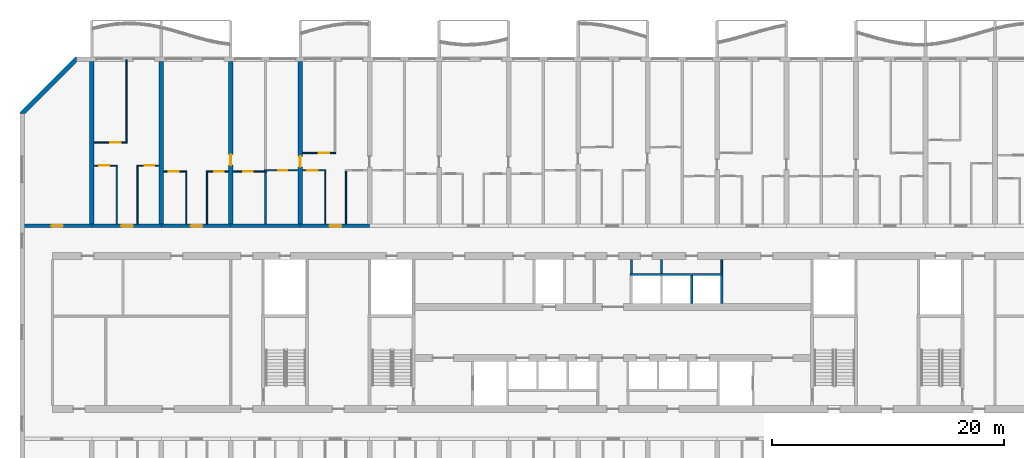
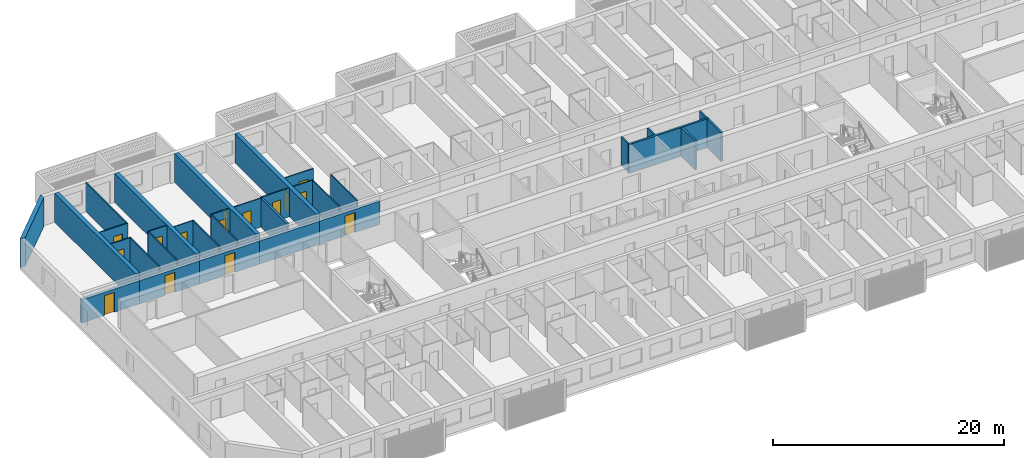
# One storey, part 10 of 40: 33 walls, 15 doors, 15 openings.
"""IFC4 building model written with IfcOpenShell, lengths in metres."""

from ifc_helpers import new_model, si_unit, direction, frame, frame_2d, origin, place, context, subcontext, project, spatial, polyline, rectangle, outline, extrude, material, layer, layer_set, type_object, element, fill, save


model = new_model("IFC4")

# Units and contexts
model_context = context("Model", 3, precision=1e-05, world=origin(), true_north=direction((0.0, 1.0)))
body_context = subcontext(model_context, "Body", "Model", "MODEL_VIEW")
ifc_project = project(units=[si_unit("LENGTHUNIT", "METRE"), si_unit("AREAUNIT", "SQUARE_METRE"), si_unit("VOLUMEUNIT", "CUBIC_METRE"), si_unit("PLANEANGLEUNIT", "RADIAN"), si_unit("MASSUNIT", "GRAM", prefix="KILO")], contexts=[model_context])

# Site, building, storey
site_placement = place(None, origin())
site = spatial("IfcSite", under=ifc_project, at=site_placement, CompositionType="ELEMENT")
building_placement = place(site_placement, origin())
building = spatial("IfcBuilding", under=site, at=building_placement, Name="Poui Terraces", CompositionType="ELEMENT")
storey_placement = place(building_placement, frame((0.0, 0.0, 36.60009765625)))
storey = spatial("IfcBuildingStorey", under=building, at=storey_placement, Name="L09", CompositionType="ELEMENT", Elevation=36.60009765625)

# Wall
ifc_material_1 = material(Name="Fire-rated plasterboard wall")
ifc_layer_1 = layer(ifc_material_1, 0.14990234375)
ifc_layer_set_1 = layer_set([ifc_layer_1], Name="Fire-rated plasterboard wall")
wall_type_1 = type_object("IfcWallType", Name="CORRIDOR WALL 150", PredefinedType="PARTITIONING", material=ifc_layer_set_1)
wall_1_placement = place(storey_placement, frame((52.60009765625, 26.300048828125, 0.0), z_axis=(0.0, 0.0, 1.0), x_axis=(0.0, 1.0, 0.0)))
element("IfcWall", 1, at=wall_1_placement, inside=storey, type_object=wall_type_1, Name="CORRIDOR WALL 150", PredefinedType="PARTITIONING", context=body_context, shape_type="SweptSolid", body=[
    extrude(rectangle(XDim=1.18994140625, YDim=0.14990234375, at=frame_2d((0.594970703125, 0.0))), origin(), (0.0, 0.0, 1.0), 3.0498046875),
])

# Wall, opening, door
ifc_material_2 = material(Name="Concrete 80 MPa", Category="concrete")
ifc_layer_2 = layer(ifc_material_2, 0.300048828125)
ifc_layer_set_2 = layer_set([ifc_layer_2], Name="Concrete 80 MPa")
wall_type_2 = type_object("IfcWallType", Name="CORRIDOR WALL 300 80MPa", PredefinedType="SHEAR", material=ifc_layer_set_2)
wall_2_placement = place(storey_placement, frame((0.199951171875, 30.39990234375, 0.0), z_axis=(0.0, 0.0, 1.0), x_axis=(1.0, 0.0, 0.0)))
wall_2 = element("IfcWall", 2, at=wall_2_placement, inside=storey, type_object=wall_type_2, Name="CORRIDOR WALL LINE E BAY 1", PredefinedType="SHEAR", context=body_context, shape_type="SweptSolid", body=[
    extrude(rectangle(XDim=5.800048828125, YDim=0.300048828125, at=frame_2d((2.89990234375, 0.0))), origin(), (0.0, 0.0, 1.0), 2.449951171875),
])
opening_1_placement = place(wall_2_placement, frame((2.300048828125, 0.0, 0.0)))
opening_1 = element("IfcOpeningElement", 3, at=opening_1_placement, cuts=wall_2, Name="Opening D100", PredefinedType="OPENING", context=body_context, shape_type="SweptSolid", body=[
    extrude(rectangle(XDim=1.0, YDim=2.10009765625, at=frame_2d((0.5, 1.050048828125))), frame((0.0, 0.16015625, 0.0), z_axis=(0.0, -1.0, 0.0), x_axis=(1.0, 0.0, 0.0)), (0.0, 0.0, 1.0), 0.320068359375),
])
ifc_material_3 = material(Name="Solid core timber door", Category="wood")
door_type_1 = type_object("IfcDoorType", Name="ACCESSIBLE INTERNAL DOOR 1000 X 2100", OperationType="NOTDEFINED", PredefinedType="DOOR", material=ifc_material_3)
door_1_placement = place(opening_1_placement, origin())
door_1 = element("IfcDoor", 4, at=door_1_placement, inside=storey, type_object=door_type_1, Name="ACCESSIBLE INTERNAL DOOR 030", OperationType="SINGLE_SWING_LEFT", OverallHeight=2.10009765625, OverallWidth=1.0, PredefinedType="DOOR", context=body_context, shape_type="SweptSolid", body=[
    extrude(rectangle(XDim=1.0, YDim=2.10009765625, at=frame_2d((0.5, 1.050048828125))), frame((0.0, 0.02490234375, 0.0), z_axis=(0.0, -1.0, 0.0), x_axis=(1.0, 0.0, 0.0)), (0.0, 0.0, 1.0), 0.050048828125),
])
fill(opening_1, door_1)

wall_3_placement = place(storey_placement, frame((6.0, 30.39990234375, 0.0), z_axis=(0.0, 0.0, 1.0), x_axis=(1.0, 0.0, 0.0)))
wall_3 = element("IfcWall", 5, at=wall_3_placement, inside=storey, type_object=wall_type_2, Name="CORRIDOR WALL LINE E BAY 2", PredefinedType="SHEAR", context=body_context, shape_type="SweptSolid", body=[
    extrude(rectangle(XDim=6.0, YDim=0.300048828125, at=frame_2d((3.0, 0.0))), origin(), (0.0, 0.0, 1.0), 2.449951171875),
])
opening_2_placement = place(wall_3_placement, frame((2.550048828125, 0.0, 0.0)))
opening_2 = element("IfcOpeningElement", 6, at=opening_2_placement, cuts=wall_3, Name="Opening FD30S", PredefinedType="OPENING", context=body_context, shape_type="SweptSolid", body=[
    extrude(rectangle(XDim=1.0, YDim=2.10009765625, at=frame_2d((0.5, 1.050048828125))), frame((0.0, 0.16015625, 0.0), z_axis=(0.0, -1.0, 0.0), x_axis=(1.0, 0.0, 0.0)), (0.0, 0.0, 1.0), 0.320068359375),
])
ifc_material_4 = material(Name="Steel fire door", Category="steel")
door_type_2 = type_object("IfcDoorType", Name="FLAT ENTRANCE DOOR 1000 X 2100", OperationType="NOTDEFINED", PredefinedType="DOOR", material=ifc_material_4)
door_2_placement = place(opening_2_placement, origin())
door_2 = element("IfcDoor", 7, at=door_2_placement, inside=storey, type_object=door_type_2, Name="FLAT ENTRANCE DOOR 033", OperationType="SINGLE_SWING_RIGHT", OverallHeight=2.10009765625, OverallWidth=1.0, PredefinedType="DOOR", context=body_context, shape_type="SweptSolid", body=[
    extrude(rectangle(XDim=1.0, YDim=2.10009765625, at=frame_2d((0.5, 1.050048828125))), frame((0.0, 0.02490234375, 0.0), z_axis=(0.0, -1.0, 0.0), x_axis=(1.0, 0.0, 0.0)), (0.0, 0.0, 1.0), 0.050048828125),
])
fill(opening_2, door_2)

wall_4_placement = place(storey_placement, frame((12.0, 30.39990234375, 0.0), z_axis=(0.0, 0.0, 1.0), x_axis=(1.0, 0.0, 0.0)))
wall_4 = element("IfcWall", 8, at=wall_4_placement, inside=storey, type_object=wall_type_2, Name="CORRIDOR WALL LINE E BAY 3", PredefinedType="SHEAR", context=body_context, shape_type="SweptSolid", body=[
    extrude(rectangle(XDim=6.0, YDim=0.300048828125, at=frame_2d((3.0, 0.0))), origin(), (0.0, 0.0, 1.0), 2.449951171875),
])
opening_3_placement = place(wall_4_placement, frame((2.550048828125, 0.0, 0.0)))
opening_3 = element("IfcOpeningElement", 9, at=opening_3_placement, cuts=wall_4, Name="Opening FD30S", PredefinedType="OPENING", context=body_context, shape_type="SweptSolid", body=[
    extrude(rectangle(XDim=1.0, YDim=2.10009765625, at=frame_2d((0.5, 1.050048828125))), frame((0.0, 0.16015625, 0.0), z_axis=(0.0, -1.0, 0.0), x_axis=(1.0, 0.0, 0.0)), (0.0, 0.0, 1.0), 0.320068359375),
])
door_3_placement = place(opening_3_placement, origin())
door_3 = element("IfcDoor", 10, at=door_3_placement, inside=storey, type_object=door_type_2, Name="FLAT ENTRANCE DOOR 037", OperationType="SINGLE_SWING_RIGHT", OverallHeight=2.10009765625, OverallWidth=1.0, PredefinedType="DOOR", context=body_context, shape_type="SweptSolid", body=[
    extrude(rectangle(XDim=1.0, YDim=2.10009765625, at=frame_2d((0.5, 1.050048828125))), frame((0.0, 0.02490234375, 0.0), z_axis=(0.0, -1.0, 0.0), x_axis=(1.0, 0.0, 0.0)), (0.0, 0.0, 1.0), 0.050048828125),
])
fill(opening_3, door_3)

# Wall
wall_5_placement = place(storey_placement, frame((18.0, 30.39990234375, 0.0), z_axis=(0.0, 0.0, 1.0), x_axis=(1.0, 0.0, 0.0)))
element("IfcWall", 11, at=wall_5_placement, inside=storey, type_object=wall_type_2, Name="CORRIDOR WALL LINE E BAY 4", PredefinedType="SHEAR", context=body_context, shape_type="SweptSolid", body=[
    extrude(rectangle(XDim=6.0, YDim=0.300048828125, at=frame_2d((3.0, 0.0))), origin(), (0.0, 0.0, 1.0), 2.449951171875),
])

# Wall, opening, door
wall_6_placement = place(storey_placement, frame((24.0, 30.39990234375, 0.0), z_axis=(0.0, 0.0, 1.0), x_axis=(1.0, 0.0, 0.0)))
wall_6 = element("IfcWall", 12, at=wall_6_placement, inside=storey, type_object=wall_type_2, Name="CORRIDOR WALL LINE E BAY 5", PredefinedType="SHEAR", context=body_context, shape_type="SweptSolid", body=[
    extrude(rectangle(XDim=6.0, YDim=0.300048828125, at=frame_2d((3.0, 0.0))), origin(), (0.0, 0.0, 1.0), 2.449951171875),
])
opening_4_placement = place(wall_6_placement, frame((2.550048828125, 0.0, 0.0)))
opening_4 = element("IfcOpeningElement", 13, at=opening_4_placement, cuts=wall_6, Name="Opening FD30S", PredefinedType="OPENING", context=body_context, shape_type="SweptSolid", body=[
    extrude(rectangle(XDim=1.0, YDim=2.10009765625, at=frame_2d((0.5, 1.050048828125))), frame((0.0, 0.16015625, 0.0), z_axis=(0.0, -1.0, 0.0), x_axis=(1.0, 0.0, 0.0)), (0.0, 0.0, 1.0), 0.320068359375),
])
door_4_placement = place(opening_4_placement, origin())
door_4 = element("IfcDoor", 14, at=door_4_placement, inside=storey, type_object=door_type_2, Name="FLAT ENTRANCE DOOR 045", OperationType="SINGLE_SWING_RIGHT", OverallHeight=2.10009765625, OverallWidth=1.0, PredefinedType="DOOR", context=body_context, shape_type="SweptSolid", body=[
    extrude(rectangle(XDim=1.0, YDim=2.10009765625, at=frame_2d((0.5, 1.050048828125))), frame((0.0, 0.02490234375, 0.0), z_axis=(0.0, -1.0, 0.0), x_axis=(1.0, 0.0, 0.0)), (0.0, 0.0, 1.0), 0.050048828125),
])
fill(opening_4, door_4)

# Walls
ifc_layer_3 = layer(ifc_material_2, 0.39990234375)
ifc_layer_set_3 = layer_set([ifc_layer_3], Name="Concrete 80 MPa")
wall_type_3 = type_object("IfcWallType", Name="CROSS WALL 400 80MPa", PredefinedType="SHEAR", material=ifc_layer_set_3)
for number, where, z_axis, x_axis, name in (
    (15, (6.0, 30.550048828125, 0.0), (0.0, 0.0, 1.0), (0.0, 1.0, 0.0), "CROSS WALL LINE 2 NORTH"),
    (16, (12.0, 30.550048828125, 0.0), (0.0, 0.0, 1.0), (0.0, 1.0, 0.0), "CROSS WALL LINE 3 NORTH"),
):
    element("IfcWall", number, at=place(storey_placement, frame(where, z_axis=z_axis, x_axis=x_axis)), inside=storey, type_object=wall_type_3, Name=name, PredefinedType="SHEAR", context=body_context, shape_type="SweptSolid", body=[
        extrude(rectangle(XDim=14.050048828125, YDim=0.39990234375, at=frame_2d((7.02490234375, 0.0))), origin(), (0.0, 0.0, 1.0), 3.0498046875),
    ])

# Wall, opening, door
wall_7_placement = place(storey_placement, frame((18.0, 30.550048828125, 0.0), z_axis=(0.0, 0.0, 1.0), x_axis=(0.0, 1.0, 0.0)))
wall_7 = element("IfcWall", 17, at=wall_7_placement, inside=storey, type_object=wall_type_3, Name="CROSS WALL LINE 4 NORTH", PredefinedType="SHEAR", context=body_context, shape_type="SweptSolid", body=[
    extrude(rectangle(XDim=14.050048828125, YDim=0.39990234375, at=frame_2d((7.02490234375, 0.0))), origin(), (0.0, 0.0, 1.0), 3.0498046875),
])
opening_5_placement = place(wall_7_placement, frame((5.10009765625, 0.0, 0.0)))
opening_5 = element("IfcOpeningElement", 18, at=opening_5_placement, cuts=wall_7, Name="Opening D90", PredefinedType="OPENING", context=body_context, shape_type="SweptSolid", body=[
    extrude(rectangle(XDim=0.89990234375, YDim=2.10009765625, at=frame_2d((0.449951171875, 1.050048828125))), frame((0.0, 0.2099609375, 0.0), z_axis=(0.0, -1.0, 0.0), x_axis=(1.0, 0.0, 0.0)), (0.0, 0.0, 1.0), 0.419921875),
])
door_type_3 = type_object("IfcDoorType", Name="INTERNAL DOOR 900 X 2100", OperationType="NOTDEFINED", PredefinedType="DOOR", material=ifc_material_3)
door_5_placement = place(opening_5_placement, frame((0.89990234375, 0.0, 0.0), z_axis=(0.0, 0.0, 1.0), x_axis=(-1.0, 0.0, 0.0)))
door_5 = element("IfcDoor", 19, at=door_5_placement, inside=storey, type_object=door_type_3, Name="INTERNAL DOOR 039", OperationType="SINGLE_SWING_RIGHT", OverallHeight=2.10009765625, OverallWidth=0.89990234375, PredefinedType="DOOR", context=body_context, shape_type="SweptSolid", body=[
    extrude(rectangle(XDim=0.89990234375, YDim=2.10009765625, at=frame_2d((0.449951171875, 1.050048828125))), frame((0.0, 0.02490234375, 0.0), z_axis=(0.0, -1.0, 0.0), x_axis=(1.0, 0.0, 0.0)), (0.0, 0.0, 1.0), 0.050048828125),
])
fill(opening_5, door_5)

wall_8_placement = place(storey_placement, frame((24.0, 30.550048828125, 0.0), z_axis=(0.0, 0.0, 1.0), x_axis=(0.0, 1.0, 0.0)))
wall_8 = element("IfcWall", 20, at=wall_8_placement, inside=storey, type_object=wall_type_3, Name="CROSS WALL LINE 5 NORTH", PredefinedType="SHEAR", context=body_context, shape_type="SweptSolid", body=[
    extrude(rectangle(XDim=14.050048828125, YDim=0.39990234375, at=frame_2d((7.02490234375, 0.0))), origin(), (0.0, 0.0, 1.0), 3.0498046875),
])
opening_6_placement = place(wall_8_placement, frame((4.949951171875, 0.0, 0.0)))
opening_6 = element("IfcOpeningElement", 21, at=opening_6_placement, cuts=wall_8, Name="Opening D90", PredefinedType="OPENING", context=body_context, shape_type="SweptSolid", body=[
    extrude(rectangle(XDim=0.89990234375, YDim=2.10009765625, at=frame_2d((0.449951171875, 1.050048828125))), frame((0.0, 0.2099609375, 0.0), z_axis=(0.0, -1.0, 0.0), x_axis=(1.0, 0.0, 0.0)), (0.0, 0.0, 1.0), 0.419921875),
])
door_6_placement = place(opening_6_placement, origin())
door_6 = element("IfcDoor", 22, at=door_6_placement, inside=storey, type_object=door_type_3, Name="INTERNAL DOOR 042", OperationType="SINGLE_SWING_LEFT", OverallHeight=2.10009765625, OverallWidth=0.89990234375, PredefinedType="DOOR", context=body_context, shape_type="SweptSolid", body=[
    extrude(rectangle(XDim=0.89990234375, YDim=2.10009765625, at=frame_2d((0.449951171875, 1.050048828125))), frame((0.0, 0.02490234375, 0.0), z_axis=(0.0, -1.0, 0.0), x_axis=(1.0, 0.0, 0.0)), (0.0, 0.0, 1.0), 0.050048828125),
])
fill(opening_6, door_6)

ifc_material_5 = material(Name="Plasterboard partition")
ifc_layer_4 = layer(ifc_material_5, 0.10009765625)
ifc_layer_set_4 = layer_set([ifc_layer_4], Name="Plasterboard partition")
wall_type_4 = type_object("IfcWallType", Name="FLAT PARTITION 100", PredefinedType="PARTITIONING", material=ifc_layer_set_4)
wall_9_placement = place(storey_placement, frame((12.2099609375, 35.10009765625, 0.0), z_axis=(0.0, 0.0, 1.0), x_axis=(1.0, 0.0, 0.0)))
wall_9 = element("IfcWall", 23, at=wall_9_placement, inside=storey, type_object=wall_type_4, Name="FLAT PARTITION 100", PredefinedType="PARTITIONING", context=body_context, shape_type="SweptSolid", body=[
    extrude(rectangle(XDim=1.989990234375, YDim=0.10009765625, at=frame_2d((0.9951171875, 0.0))), origin(), (0.0, 0.0, 1.0), 3.0498046875),
])
opening_7_placement = place(wall_9_placement, frame((0.4150390625, 0.0, 0.0)))
opening_7 = element("IfcOpeningElement", 24, at=opening_7_placement, cuts=wall_9, Name="Opening D90", PredefinedType="OPENING", context=body_context, shape_type="SweptSolid", body=[
    extrude(rectangle(XDim=0.89990234375, YDim=2.10009765625, at=frame_2d((0.449951171875, 1.050048828125))), frame((0.0, 0.06005859375, 0.0), z_axis=(0.0, -1.0, 0.0), x_axis=(1.0, 0.0, 0.0)), (0.0, 0.0, 1.0), 0.1201171875),
])
door_7_placement = place(opening_7_placement, frame((0.89990234375, 0.0, 0.0), z_axis=(0.0, 0.0, 1.0), x_axis=(-1.0, 0.0, 0.0)))
door_7 = element("IfcDoor", 25, at=door_7_placement, inside=storey, type_object=door_type_3, Name="INTERNAL DOOR 036", OperationType="SINGLE_SWING_LEFT", OverallHeight=2.10009765625, OverallWidth=0.89990234375, PredefinedType="DOOR", context=body_context, shape_type="SweptSolid", body=[
    extrude(rectangle(XDim=0.89990234375, YDim=2.10009765625, at=frame_2d((0.449951171875, 1.050048828125))), frame((0.0, 0.02490234375, 0.0), z_axis=(0.0, -1.0, 0.0), x_axis=(1.0, 0.0, 0.0)), (0.0, 0.0, 1.0), 0.050048828125),
])
fill(opening_7, door_7)

wall_10_placement = place(storey_placement, frame((15.89990234375, 35.10009765625, 0.0), z_axis=(0.0, 0.0, 1.0), x_axis=(1.0, 0.0, 0.0)))
wall_10 = element("IfcWall", 26, at=wall_10_placement, inside=storey, type_object=wall_type_4, Name="FLAT PARTITION 100", PredefinedType="PARTITIONING", context=body_context, shape_type="SweptSolid", body=[
    extrude(rectangle(XDim=1.89013671875, YDim=0.10009765625, at=frame_2d((0.945068359375, 0.0))), origin(), (0.0, 0.0, 1.0), 3.0498046875),
])
opening_8_placement = place(wall_10_placement, frame((0.675048828125, 0.0, 0.0)))
opening_8 = element("IfcOpeningElement", 27, at=opening_8_placement, cuts=wall_10, Name="Opening D80", PredefinedType="OPENING", context=body_context, shape_type="SweptSolid", body=[
    extrude(rectangle(XDim=0.800048828125, YDim=2.10009765625, at=frame_2d((0.39990234375, 1.050048828125))), frame((0.0, 0.06005859375, 0.0), z_axis=(0.0, -1.0, 0.0), x_axis=(1.0, 0.0, 0.0)), (0.0, 0.0, 1.0), 0.1201171875),
])
door_type_4 = type_object("IfcDoorType", Name="BATHROOM, LAUNDRY AND STORE DOOR 800 X 2100", OperationType="NOTDEFINED", PredefinedType="DOOR", material=ifc_material_3)
door_8_placement = place(opening_8_placement, frame((0.800048828125, 0.0, 0.0), z_axis=(0.0, 0.0, 1.0), x_axis=(-1.0, 0.0, 0.0)))
door_8 = element("IfcDoor", 28, at=door_8_placement, inside=storey, type_object=door_type_4, Name="BATHROOM, LAUNDRY AND STORE DOOR 038", OperationType="SINGLE_SWING_RIGHT", OverallHeight=2.10009765625, OverallWidth=0.800048828125, PredefinedType="DOOR", context=body_context, shape_type="SweptSolid", body=[
    extrude(rectangle(XDim=0.800048828125, YDim=2.10009765625, at=frame_2d((0.39990234375, 1.050048828125))), frame((0.0, 0.02490234375, 0.0), z_axis=(0.0, -1.0, 0.0), x_axis=(1.0, 0.0, 0.0)), (0.0, 0.0, 1.0), 0.050048828125),
])
fill(opening_8, door_8)

wall_11_placement = place(storey_placement, frame((18.2099609375, 35.10009765625, 0.0), z_axis=(0.0, 0.0, 1.0), x_axis=(1.0, 0.0, 0.0)))
wall_11 = element("IfcWall", 29, at=wall_11_placement, inside=storey, type_object=wall_type_4, Name="FLAT PARTITION 100", PredefinedType="PARTITIONING", context=body_context, shape_type="SweptSolid", body=[
    extrude(rectangle(XDim=2.89013671875, YDim=0.10009765625, at=frame_2d((1.445068359375, 0.0))), origin(), (0.0, 0.0, 1.0), 3.0498046875),
])
opening_9_placement = place(wall_11_placement, frame((0.889892578125, 0.0, 0.0)))
opening_9 = element("IfcOpeningElement", 30, at=opening_9_placement, cuts=wall_11, Name="Opening D80", PredefinedType="OPENING", context=body_context, shape_type="SweptSolid", body=[
    extrude(rectangle(XDim=0.800048828125, YDim=2.10009765625, at=frame_2d((0.39990234375, 1.050048828125))), frame((0.0, 0.06005859375, 0.0), z_axis=(0.0, -1.0, 0.0), x_axis=(1.0, 0.0, 0.0)), (0.0, 0.0, 1.0), 0.1201171875),
])
door_9_placement = place(opening_9_placement, frame((0.800048828125, 0.0, 0.0), z_axis=(0.0, 0.0, 1.0), x_axis=(-1.0, 0.0, 0.0)))
door_9 = element("IfcDoor", 31, at=door_9_placement, inside=storey, type_object=door_type_4, Name="BATHROOM, LAUNDRY AND STORE DOOR 035", OperationType="SINGLE_SWING_RIGHT", OverallHeight=2.10009765625, OverallWidth=0.800048828125, PredefinedType="DOOR", context=body_context, shape_type="SweptSolid", body=[
    extrude(rectangle(XDim=0.800048828125, YDim=2.10009765625, at=frame_2d((0.39990234375, 1.050048828125))), frame((0.0, 0.02490234375, 0.0), z_axis=(0.0, -1.0, 0.0), x_axis=(1.0, 0.0, 0.0)), (0.0, 0.0, 1.0), 0.050048828125),
])
fill(opening_9, door_9)

wall_12_placement = place(storey_placement, frame((20.89990234375, 35.199951171875, 0.0), z_axis=(0.0, 0.0, 1.0), x_axis=(1.0, 0.0, 0.0)))
wall_12 = element("IfcWall", 32, at=wall_12_placement, inside=storey, type_object=wall_type_4, Name="FLAT PARTITION 100", PredefinedType="PARTITIONING", context=body_context, shape_type="SweptSolid", body=[
    extrude(rectangle(XDim=2.89013671875, YDim=0.10009765625, at=frame_2d((1.445068359375, 0.0))), origin(), (0.0, 0.0, 1.0), 3.0498046875),
])
opening_10_placement = place(wall_12_placement, frame((1.199951171875, 0.0, 0.0)))
opening_10 = element("IfcOpeningElement", 33, at=opening_10_placement, cuts=wall_12, Name="Opening D80", PredefinedType="OPENING", context=body_context, shape_type="SweptSolid", body=[
    extrude(rectangle(XDim=0.800048828125, YDim=2.10009765625, at=frame_2d((0.39990234375, 1.050048828125))), frame((0.0, 0.06005859375, 0.0), z_axis=(0.0, -1.0, 0.0), x_axis=(1.0, 0.0, 0.0)), (0.0, 0.0, 1.0), 0.1201171875),
])
door_10_placement = place(opening_10_placement, frame((0.800048828125, 0.0, 0.0), z_axis=(0.0, 0.0, 1.0), x_axis=(-1.0, 0.0, 0.0)))
door_10 = element("IfcDoor", 34, at=door_10_placement, inside=storey, type_object=door_type_4, Name="BATHROOM, LAUNDRY AND STORE DOOR 040", OperationType="SINGLE_SWING_LEFT", OverallHeight=2.10009765625, OverallWidth=0.800048828125, PredefinedType="DOOR", context=body_context, shape_type="SweptSolid", body=[
    extrude(rectangle(XDim=0.800048828125, YDim=2.10009765625, at=frame_2d((0.39990234375, 1.050048828125))), frame((0.0, 0.02490234375, 0.0), z_axis=(0.0, -1.0, 0.0), x_axis=(1.0, 0.0, 0.0)), (0.0, 0.0, 1.0), 0.050048828125),
])
fill(opening_10, door_10)

wall_13_placement = place(storey_placement, frame((24.2099609375, 35.199951171875, 0.0), z_axis=(0.0, 0.0, 1.0), x_axis=(1.0, 0.0, 0.0)))
wall_13 = element("IfcWall", 35, at=wall_13_placement, inside=storey, type_object=wall_type_4, Name="FLAT PARTITION 100", PredefinedType="PARTITIONING", context=body_context, shape_type="SweptSolid", body=[
    extrude(rectangle(XDim=1.989990234375, YDim=0.10009765625, at=frame_2d((0.9951171875, 0.0))), origin(), (0.0, 0.0, 1.0), 3.0498046875),
])
opening_11_placement = place(wall_13_placement, frame((0.4150390625, 0.0, 0.0)))
opening_11 = element("IfcOpeningElement", 36, at=opening_11_placement, cuts=wall_13, Name="Opening D90", PredefinedType="OPENING", context=body_context, shape_type="SweptSolid", body=[
    extrude(rectangle(XDim=0.89990234375, YDim=2.10009765625, at=frame_2d((0.449951171875, 1.050048828125))), frame((0.0, 0.06005859375, 0.0), z_axis=(0.0, -1.0, 0.0), x_axis=(1.0, 0.0, 0.0)), (0.0, 0.0, 1.0), 0.1201171875),
])
door_11_placement = place(opening_11_placement, frame((0.89990234375, 0.0, 0.0), z_axis=(0.0, 0.0, 1.0), x_axis=(-1.0, 0.0, 0.0)))
door_11 = element("IfcDoor", 37, at=door_11_placement, inside=storey, type_object=door_type_3, Name="INTERNAL DOOR 043", OperationType="SINGLE_SWING_LEFT", OverallHeight=2.10009765625, OverallWidth=0.89990234375, PredefinedType="DOOR", context=body_context, shape_type="SweptSolid", body=[
    extrude(rectangle(XDim=0.89990234375, YDim=2.10009765625, at=frame_2d((0.449951171875, 1.050048828125))), frame((0.0, 0.02490234375, 0.0), z_axis=(0.0, -1.0, 0.0), x_axis=(1.0, 0.0, 0.0)), (0.0, 0.0, 1.0), 0.050048828125),
])
fill(opening_11, door_11)

wall_14_placement = place(storey_placement, frame((6.2099609375, 35.60009765625, 0.0), z_axis=(0.0, 0.0, 1.0), x_axis=(1.0, 0.0, 0.0)))
wall_14 = element("IfcWall", 38, at=wall_14_placement, inside=storey, type_object=wall_type_4, Name="FLAT PARTITION 100", PredefinedType="PARTITIONING", context=body_context, shape_type="SweptSolid", body=[
    extrude(rectangle(XDim=1.989990234375, YDim=0.10009765625, at=frame_2d((0.9951171875, 0.0))), origin(), (0.0, 0.0, 1.0), 3.0498046875),
])
opening_12_placement = place(wall_14_placement, frame((0.4150390625, 0.0, 0.0)))
opening_12 = element("IfcOpeningElement", 39, at=opening_12_placement, cuts=wall_14, Name="Opening D90", PredefinedType="OPENING", context=body_context, shape_type="SweptSolid", body=[
    extrude(rectangle(XDim=0.89990234375, YDim=2.10009765625, at=frame_2d((0.449951171875, 1.050048828125))), frame((0.0, 0.06005859375, 0.0), z_axis=(0.0, -1.0, 0.0), x_axis=(1.0, 0.0, 0.0)), (0.0, 0.0, 1.0), 0.1201171875),
])
door_12_placement = place(opening_12_placement, frame((0.89990234375, 0.0, 0.0), z_axis=(0.0, 0.0, 1.0), x_axis=(-1.0, 0.0, 0.0)))
door_12 = element("IfcDoor", 40, at=door_12_placement, inside=storey, type_object=door_type_3, Name="INTERNAL DOOR 031", OperationType="SINGLE_SWING_LEFT", OverallHeight=2.10009765625, OverallWidth=0.89990234375, PredefinedType="DOOR", context=body_context, shape_type="SweptSolid", body=[
    extrude(rectangle(XDim=0.89990234375, YDim=2.10009765625, at=frame_2d((0.449951171875, 1.050048828125))), frame((0.0, 0.02490234375, 0.0), z_axis=(0.0, -1.0, 0.0), x_axis=(1.0, 0.0, 0.0)), (0.0, 0.0, 1.0), 0.050048828125),
])
fill(opening_12, door_12)

wall_15_placement = place(storey_placement, frame((9.89990234375, 35.60009765625, 0.0), z_axis=(0.0, 0.0, 1.0), x_axis=(1.0, 0.0, 0.0)))
wall_15 = element("IfcWall", 41, at=wall_15_placement, inside=storey, type_object=wall_type_4, Name="FLAT PARTITION 100", PredefinedType="PARTITIONING", context=body_context, shape_type="SweptSolid", body=[
    extrude(rectangle(XDim=1.89013671875, YDim=0.10009765625, at=frame_2d((0.945068359375, 0.0))), origin(), (0.0, 0.0, 1.0), 3.0498046875),
])
opening_13_placement = place(wall_15_placement, frame((0.675048828125, 0.0, 0.0)))
opening_13 = element("IfcOpeningElement", 42, at=opening_13_placement, cuts=wall_15, Name="Opening D80", PredefinedType="OPENING", context=body_context, shape_type="SweptSolid", body=[
    extrude(rectangle(XDim=0.800048828125, YDim=2.10009765625, at=frame_2d((0.39990234375, 1.050048828125))), frame((0.0, 0.06005859375, 0.0), z_axis=(0.0, -1.0, 0.0), x_axis=(1.0, 0.0, 0.0)), (0.0, 0.0, 1.0), 0.1201171875),
])
door_13_placement = place(opening_13_placement, frame((0.800048828125, 0.0, 0.0), z_axis=(0.0, 0.0, 1.0), x_axis=(-1.0, 0.0, 0.0)))
door_13 = element("IfcDoor", 43, at=door_13_placement, inside=storey, type_object=door_type_4, Name="BATHROOM, LAUNDRY AND STORE DOOR 034", OperationType="SINGLE_SWING_RIGHT", OverallHeight=2.10009765625, OverallWidth=0.800048828125, PredefinedType="DOOR", context=body_context, shape_type="SweptSolid", body=[
    extrude(rectangle(XDim=0.800048828125, YDim=2.10009765625, at=frame_2d((0.39990234375, 1.050048828125))), frame((0.0, 0.02490234375, 0.0), z_axis=(0.0, -1.0, 0.0), x_axis=(1.0, 0.0, 0.0)), (0.0, 0.0, 1.0), 0.050048828125),
])
fill(opening_13, door_13)

wall_16_placement = place(storey_placement, frame((24.2099609375, 36.699951171875, 0.0), z_axis=(0.0, 0.0, 1.0), x_axis=(1.0, 0.0, 0.0)))
wall_16 = element("IfcWall", 44, at=wall_16_placement, inside=storey, type_object=wall_type_4, Name="FLAT PARTITION 100", PredefinedType="PARTITIONING", context=body_context, shape_type="SweptSolid", body=[
    extrude(rectangle(XDim=2.840087890625, YDim=0.10009765625, at=frame_2d((1.419921875, 0.0))), origin(), (0.0, 0.0, 1.0), 3.0498046875),
])
opening_14_placement = place(wall_16_placement, frame((1.389892578125, 0.0, 0.0)))
opening_14 = element("IfcOpeningElement", 45, at=opening_14_placement, cuts=wall_16, Name="Opening D90", PredefinedType="OPENING", context=body_context, shape_type="SweptSolid", body=[
    extrude(rectangle(XDim=0.89990234375, YDim=2.10009765625, at=frame_2d((0.449951171875, 1.050048828125))), frame((0.0, 0.06005859375, 0.0), z_axis=(0.0, -1.0, 0.0), x_axis=(1.0, 0.0, 0.0)), (0.0, 0.0, 1.0), 0.1201171875),
])
door_14_placement = place(opening_14_placement, frame((0.89990234375, 0.0, 0.0), z_axis=(0.0, 0.0, 1.0), x_axis=(-1.0, 0.0, 0.0)))
door_14 = element("IfcDoor", 46, at=door_14_placement, inside=storey, type_object=door_type_3, Name="INTERNAL DOOR 044", OperationType="SINGLE_SWING_RIGHT", OverallHeight=2.10009765625, OverallWidth=0.89990234375, PredefinedType="DOOR", context=body_context, shape_type="SweptSolid", body=[
    extrude(rectangle(XDim=0.89990234375, YDim=2.10009765625, at=frame_2d((0.449951171875, 1.050048828125))), frame((0.0, 0.02490234375, 0.0), z_axis=(0.0, -1.0, 0.0), x_axis=(1.0, 0.0, 0.0)), (0.0, 0.0, 1.0), 0.050048828125),
])
fill(opening_14, door_14)

wall_17_placement = place(storey_placement, frame((6.2099609375, 37.60009765625, 0.0), z_axis=(0.0, 0.0, 1.0), x_axis=(1.0, 0.0, 0.0)))
wall_17 = element("IfcWall", 47, at=wall_17_placement, inside=storey, type_object=wall_type_4, Name="FLAT PARTITION 100", PredefinedType="PARTITIONING", context=body_context, shape_type="SweptSolid", body=[
    extrude(rectangle(XDim=2.840087890625, YDim=0.10009765625, at=frame_2d((1.419921875, 0.0))), origin(), (0.0, 0.0, 1.0), 3.0498046875),
])
opening_15_placement = place(wall_17_placement, frame((1.389892578125, 0.0, 0.0)))
opening_15 = element("IfcOpeningElement", 48, at=opening_15_placement, cuts=wall_17, Name="Opening D90", PredefinedType="OPENING", context=body_context, shape_type="SweptSolid", body=[
    extrude(rectangle(XDim=0.89990234375, YDim=2.10009765625, at=frame_2d((0.449951171875, 1.050048828125))), frame((0.0, 0.06005859375, 0.0), z_axis=(0.0, -1.0, 0.0), x_axis=(1.0, 0.0, 0.0)), (0.0, 0.0, 1.0), 0.1201171875),
])
door_15_placement = place(opening_15_placement, frame((0.89990234375, 0.0, 0.0), z_axis=(0.0, 0.0, 1.0), x_axis=(-1.0, 0.0, 0.0)))
door_15 = element("IfcDoor", 49, at=door_15_placement, inside=storey, type_object=door_type_3, Name="INTERNAL DOOR 032", OperationType="SINGLE_SWING_RIGHT", OverallHeight=2.10009765625, OverallWidth=0.89990234375, PredefinedType="DOOR", context=body_context, shape_type="SweptSolid", body=[
    extrude(rectangle(XDim=0.89990234375, YDim=2.10009765625, at=frame_2d((0.449951171875, 1.050048828125))), frame((0.0, 0.02490234375, 0.0), z_axis=(0.0, -1.0, 0.0), x_axis=(1.0, 0.0, 0.0)), (0.0, 0.0, 1.0), 0.050048828125),
])
fill(opening_15, door_15)

# Walls
wall_18_placement = place(storey_placement, frame((8.14990234375, 30.56005859375, 0.0), z_axis=(0.0, 0.0, 1.0), x_axis=(0.0, 1.0, 0.0)))
element("IfcWall", 50, at=wall_18_placement, inside=storey, type_object=wall_type_4, Name="FLAT PARTITION 100", PredefinedType="PARTITIONING", context=body_context, shape_type="SweptSolid", body=[
    extrude(rectangle(XDim=4.989990234375, YDim=0.10009765625, at=frame_2d((2.4951171875, 0.0))), origin(), (0.0, 0.0, 1.0), 3.0498046875),
])
wall_19_placement = place(storey_placement, frame((9.0, 37.64990234375, 0.0), z_axis=(0.0, 0.0, 1.0), x_axis=(0.0, 1.0, 0.0)))
element("IfcWall", 51, at=wall_19_placement, inside=storey, type_object=wall_type_4, Name="FLAT PARTITION 100", PredefinedType="PARTITIONING", context=body_context, shape_type="SweptSolid", body=[
    extrude(rectangle(XDim=7.090087890625, YDim=0.10009765625, at=frame_2d((3.544921875, 0.0))), origin(), (0.0, 0.0, 1.0), 3.0498046875),
])
wall_20_placement = place(storey_placement, frame((9.949951171875, 30.56005859375, 0.0), z_axis=(0.0, 0.0, 1.0), x_axis=(0.0, 1.0, 0.0)))
element("IfcWall", 52, at=wall_20_placement, inside=storey, type_object=wall_type_4, Name="FLAT PARTITION 100", PredefinedType="PARTITIONING", context=body_context, shape_type="SweptSolid", body=[
    extrude(rectangle(XDim=4.989990234375, YDim=0.10009765625, at=frame_2d((2.4951171875, 0.0))), origin(), (0.0, 0.0, 1.0), 3.0498046875),
])
for number, where, z_axis, x_axis, name in (
    (53, (14.14990234375, 30.56005859375, 0.0), (0.0, 0.0, 1.0), (0.0, 1.0, 0.0), "FLAT PARTITION 100"),
    (54, (15.949951171875, 30.56005859375, 0.0), (0.0, 0.0, 1.0), (0.0, 1.0, 0.0), "FLAT PARTITION 100"),
):
    element("IfcWall", number, at=place(storey_placement, frame(where, z_axis=z_axis, x_axis=x_axis)), inside=storey, type_object=wall_type_4, Name=name, PredefinedType="PARTITIONING", context=body_context, shape_type="SweptSolid", body=[
        extrude(rectangle(XDim=4.489990234375, YDim=0.10009765625, at=frame_2d((2.2451171875, 0.0))), origin(), (0.0, 0.0, 1.0), 3.0498046875),
    ])
for number, where, z_axis, x_axis, name in (
    (55, (26.14990234375, 30.56005859375, 0.0), (0.0, 0.0, 1.0), (0.0, 1.0, 0.0), "FLAT PARTITION 100"),
    (56, (27.949951171875, 30.56005859375, 0.0), (0.0, 0.0, 1.0), (0.0, 1.0, 0.0), "FLAT PARTITION 100"),
):
    element("IfcWall", number, at=place(storey_placement, frame(where, z_axis=z_axis, x_axis=x_axis)), inside=storey, type_object=wall_type_4, Name=name, PredefinedType="PARTITIONING", context=body_context, shape_type="SweptSolid", body=[
        extrude(rectangle(XDim=4.58984375, YDim=0.10009765625, at=frame_2d((2.294921875, 0.0))), origin(), (0.0, 0.0, 1.0), 3.0498046875),
    ])
ifc_material_6 = material(Name="Fire-rated masonry wall", Category="masonry")
ifc_layer_5 = layer(ifc_material_6, 0.199951171875)
ifc_layer_set_5 = layer_set([ifc_layer_5], Name="Fire-rated masonry wall")
wall_type_5 = type_object("IfcWallType", Name="FLAT PARTY WALL 200", PredefinedType="PARTITIONING", material=ifc_layer_set_5)
wall_21_placement = place(storey_placement, frame((21.0, 30.56005859375, 0.0), z_axis=(0.0, 0.0, 1.0), x_axis=(0.0, 1.0, 0.0)))
element("IfcWall", 57, at=wall_21_placement, inside=storey, type_object=wall_type_5, Name="FLAT PARTY WALL 200", PredefinedType="PARTITIONING", context=body_context, shape_type="SweptSolid", body=[
    extrude(rectangle(XDim=4.489990234375, YDim=0.199951171875, at=frame_2d((2.2451171875, 0.0))), origin(), (0.0, 0.0, 1.0), 3.0498046875),
])
ifc_layer_6 = layer(ifc_material_5, 0.14990234375)
ifc_layer_set_6 = layer_set([ifc_layer_6], Name="Plasterboard partition")
wall_type_6 = type_object("IfcWallType", Name="PARTITION WALL 150", PredefinedType="PARTITIONING", material=ifc_layer_set_6)
for number, where, z_axis, x_axis, name in (
    (58, (55.199951171875, 26.300048828125, 0.0), (0.0, 0.0, 1.0), (0.0, 1.0, 0.0), "PARTITION WALL 150"),
    (59, (60.39990234375, 26.300048828125, 0.0), (0.0, 0.0, 1.0), (0.0, 1.0, 0.0), "PARTITION WALL 150"),
):
    element("IfcWall", number, at=place(storey_placement, frame(where, z_axis=z_axis, x_axis=x_axis)), inside=storey, type_object=wall_type_6, Name=name, PredefinedType="PARTITIONING", context=body_context, shape_type="SweptSolid", body=[
        extrude(rectangle(XDim=1.18994140625, YDim=0.14990234375, at=frame_2d((0.594970703125, 0.0))), origin(), (0.0, 0.0, 1.0), 3.0498046875),
    ])
ifc_material_7 = material(Name="Fire-rated masonry shaft wall", Category="masonry")
ifc_layer_7 = layer(ifc_material_7, 0.199951171875)
ifc_layer_set_7 = layer_set([ifc_layer_7], Name="Fire-rated masonry shaft wall")
wall_type_7 = type_object("IfcWallType", Name="SHAFT WALL 200", PredefinedType="PARTITIONING", material=ifc_layer_set_7)
wall_22_placement = place(storey_placement, frame((52.5, 26.199951171875, 0.0), z_axis=(0.0, 0.0, 1.0), x_axis=(1.0, 0.0, 0.0)))
element("IfcWall", 60, at=wall_22_placement, inside=storey, type_object=wall_type_7, Name="SHAFT WALL 200", PredefinedType="PARTITIONING", context=body_context, shape_type="SweptSolid", body=[
    extrude(rectangle(XDim=8.0, YDim=0.199951171875, at=frame_2d((4.0, 0.0))), origin(), (0.0, 0.0, 1.0), 3.0498046875),
])
for number, where, z_axis, x_axis, name in (
    (61, (57.800048828125, 23.7099609375, 0.0), (0.0, 0.0, 1.0), (0.0, 1.0, 0.0), "SHAFT WALL 200"),
    (62, (60.39990234375, 23.7099609375, 0.0), (0.0, 0.0, 1.0), (0.0, 1.0, 0.0), "SHAFT WALL 200"),
):
    element("IfcWall", number, at=place(storey_placement, frame(where, z_axis=z_axis, x_axis=x_axis)), inside=storey, type_object=wall_type_7, Name=name, PredefinedType="PARTITIONING", context=body_context, shape_type="SweptSolid", body=[
        extrude(rectangle(XDim=2.39013671875, YDim=0.199951171875, at=frame_2d((1.195068359375, 0.0))), origin(), (0.0, 0.0, 1.0), 3.0498046875),
    ])
ifc_material_8 = material(Name="Precast concrete 40 MPa", Category="concrete")
ifc_layer_8 = layer(ifc_material_8, 0.39990234375)
ifc_layer_set_8 = layer_set([ifc_layer_8], Name="Precast concrete 40 MPa")
wall_type_8 = type_object("IfcWallType", Name="TERRACOTTA CLAD CHAMFER WALL 400", PredefinedType="STANDARD", material=ifc_layer_set_8)
wall_23_placement = place(storey_placement, origin())
element("IfcWall", 63, at=wall_23_placement, inside=storey, type_object=wall_type_8, Name="CHAMFER WALL CH05", PredefinedType="STANDARD", context=body_context, shape_type="SweptSolid", body=[
    extrude(outline(polyline([(4.682861328125, 45.0), (4.60009765625, 45.0), (-0.199951171875, 40.199951171875), (-0.199951171875, 40.1171875), (0.28271484375, 40.1171875), (4.682861328125, 44.51708984375), (4.682861328125, 45.0)])), origin(), (0.0, 0.0, 1.0), 3.0498046875),
])

save(model, "model.ifc")
